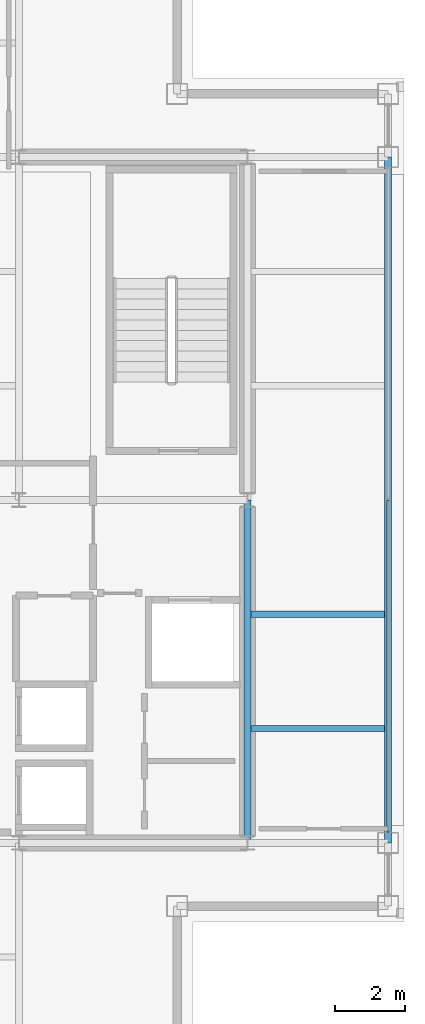
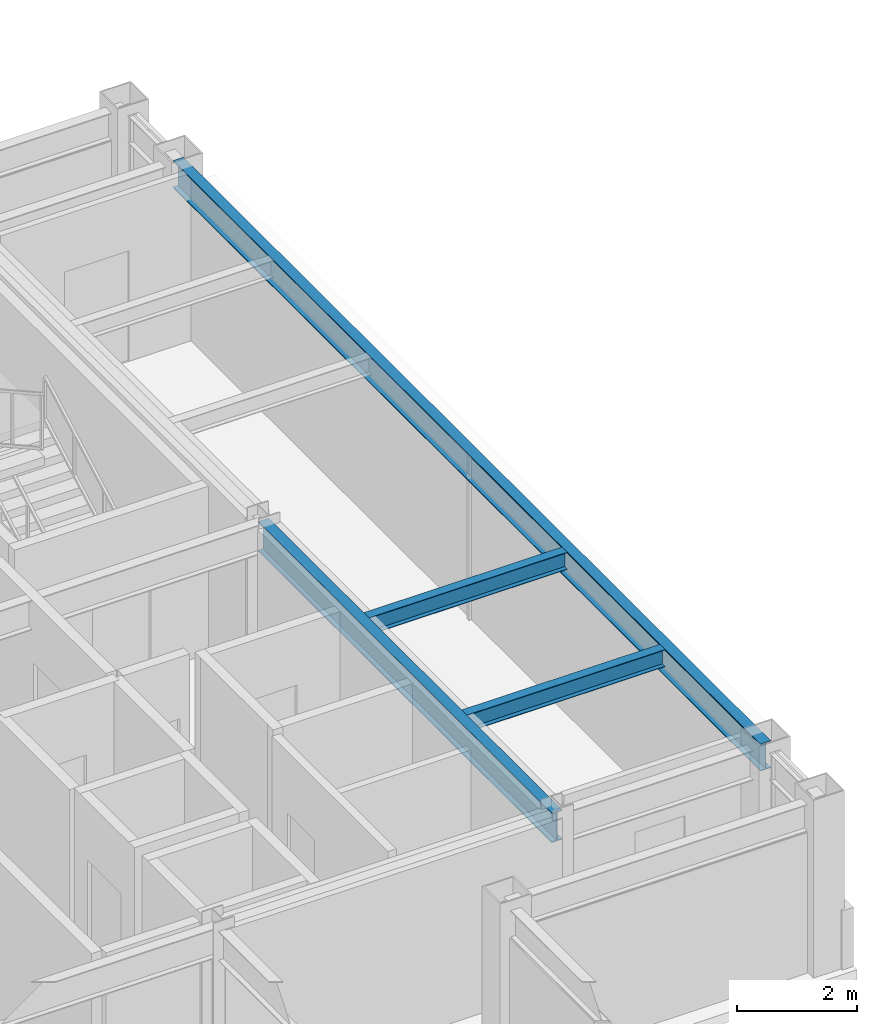
# One storey, part 14 of 24: 4 beams, 1 member, 1 element without a shape of its own.
"""IFC4 building model written with IfcOpenShell, lengths in metres."""

from ifc_helpers import new_model, si_unit, direction, frame, origin, origin_2d, place, context, subcontext, project, spatial, hollow_rectangle, i_section, extrude, material, layer, layer_set, material_profile, profile_set, type_object, element, aggregate, save


model = new_model("IFC4")

# Units and contexts
model_context = context("Model", 3, precision=1e-05, world=origin(), true_north=direction((0.0, 1.0)))
body_context = subcontext(model_context, "Body", "Model", "MODEL_VIEW")
ifc_project = project(units=[si_unit("LENGTHUNIT", "METRE"), si_unit("AREAUNIT", "SQUARE_METRE"), si_unit("VOLUMEUNIT", "CUBIC_METRE"), si_unit("PLANEANGLEUNIT", "RADIAN"), si_unit("MASSUNIT", "GRAM", prefix="KILO")], contexts=[model_context])

# Site, building, storey
site_placement = place(None, origin())
site = spatial("IfcSite", under=ifc_project, at=site_placement, CompositionType="ELEMENT")
building_placement = place(site_placement, origin())
building = spatial("IfcBuilding", under=site, at=building_placement, Name="Brelmoor Portico Tower", CompositionType="ELEMENT")
storey_placement = place(building_placement, frame((0.0, 0.0, 261.60009765625)))
storey = spatial("IfcBuildingStorey", under=building, at=storey_placement, Name="L69", CompositionType="ELEMENT", Elevation=261.60009765625)

# Beams
ifc_material_1 = material(Name="Steel Q355B", Category="steel")
ifc_material_profile_1 = material_profile(ifc_material_1, i_section(OverallWidth=0.175048828125, OverallDepth=0.35009765625, WebThickness=0.007080078125, FlangeThickness=0.010986328125, at=origin_2d()), Name="HN 350x175x7x11")
ifc_profile_set_1 = profile_set([ifc_material_profile_1], Name="Steel Q355B")
beam_type_1 = type_object("IfcBeamType", Name="BM-JS-350", PredefinedType="JOIST", material=ifc_profile_set_1)
for number, where, z_axis, x_axis, name in (
    (1, (14.64990234375, -6.5, 3.224853515625), (1.0, 0.0, 0.0), (0.0, 1.0, 0.0), "L69 Secondary Wing Joist JS-E11"),
    (2, (14.64990234375, -3.25, 3.224853515625), (1.0, 0.0, 0.0), (0.0, 1.0, 0.0), "L69 Secondary Wing Joist JS-E12"),
):
    element("IfcBeam", number, at=place(storey_placement, frame(where, z_axis=z_axis, x_axis=x_axis)), inside=storey, type_object=beam_type_1, Name=name, PredefinedType="JOIST", context=body_context, shape_type="SweptSolid", body=[
        extrude(i_section(OverallWidth=0.175048828125, OverallDepth=0.35009765625, WebThickness=0.007080078125, FlangeThickness=0.010986328125, at=origin_2d()), origin(), (0.0, 0.0, 1.0), 3.800048828125),
    ])
ifc_material_profile_2 = material_profile(ifc_material_1, i_section(OverallWidth=0.199951171875, OverallDepth=0.60009765625, WebThickness=0.010986328125, FlangeThickness=0.01708984375, at=origin_2d()), Name="HN 600x200x11x17")
ifc_profile_set_2 = profile_set([ifc_material_profile_2], Name="Steel Q355B")
beam_type_2 = type_object("IfcBeamType", Name="BM-PG-600", PredefinedType="BEAM", material=ifc_profile_set_2)
beam_1_placement = place(storey_placement, frame((14.550048828125, -9.75, 3.099853515625), z_axis=(0.0, 1.0, 0.0), x_axis=(-1.0, 0.0, 0.0)))
element("IfcBeam", 3, at=beam_1_placement, inside=storey, type_object=beam_type_2, Name="L69 Primary Floor Girder PG-09", PredefinedType="BEAM", context=body_context, shape_type="SweptSolid", body=[
    extrude(i_section(OverallWidth=0.199951171875, OverallDepth=0.60009765625, WebThickness=0.010986328125, FlangeThickness=0.01708984375, at=origin_2d()), origin(), (0.0, 0.0, 1.0), 9.75),
])
ifc_material_profile_3 = material_profile(ifc_material_1, i_section(OverallWidth=0.199951171875, OverallDepth=0.550048828125, WebThickness=0.010009765625, FlangeThickness=0.01611328125, at=origin_2d()), Name="HN 550x200x10x16")
ifc_profile_set_3 = profile_set([ifc_material_profile_3], Name="Steel Q355B")
beam_type_3 = type_object("IfcBeamType", Name="BM-SP-550", PredefinedType="SPANDREL", material=ifc_profile_set_3)
beam_2_placement = place(storey_placement, frame((18.550048828125, -9.75, 3.125), z_axis=(0.0, 1.0, 0.0), x_axis=(-1.0, 0.0, 0.0)))
element("IfcBeam", 4, at=beam_2_placement, inside=storey, type_object=beam_type_3, Name="L69 Perimeter Spandrel Beam SP-19", PredefinedType="SPANDREL", context=body_context, shape_type="SweptSolid", body=[
    extrude(i_section(OverallWidth=0.199951171875, OverallDepth=0.550048828125, WebThickness=0.010009765625, FlangeThickness=0.01611328125, at=origin_2d()), origin(), (0.0, 0.0, 1.0), 19.5),
])

# Curtain wall, member
ifc_material_2 = material(Name="Anodised Aluminium Alloy 6063-T6", Category="aluminium")
ifc_layer = layer(ifc_material_2, 0.179931640625)
ifc_layer_set = layer_set([ifc_layer], Name="Anodised Aluminium Alloy 6063-T6")
curtain_wall_type = type_object("IfcCurtainWallType", Name="CW-TOWER-Z4-XB", PredefinedType="NOTDEFINED", material=ifc_layer_set)
curtain_wall_placement = place(storey_placement, origin())
curtain_wall = element("IfcCurtainWall", 5, at=curtain_wall_placement, inside=storey, type_object=curtain_wall_type, Name="L69 Curtain Wall CW-L69-04-2", PredefinedType="NOTDEFINED")
ifc_material_profile_4 = material_profile(ifc_material_2, hollow_rectangle(XDim=0.06005859375, YDim=0.125, WallThickness=0.00341796875, at=origin_2d()), Name="ALU TRANSOM 60x125")
ifc_profile_set_4 = profile_set([ifc_material_profile_4], Name="Anodised Aluminium Alloy 6063-T6")
member_type = type_object("IfcMemberType", Name="MB-CW-TRAN-125", PredefinedType="USERDEFINED", material=ifc_profile_set_4)
member_placement = place(storey_placement, frame((18.550048828125, -9.43994140625, 3.33740234375), z_axis=(0.0, 1.0, 0.0), x_axis=(-1.0, 0.0, 0.0)))
member = element("IfcMember", 6, at=member_placement, type_object=member_type, Name="CW-L69-04-2 Transom 1-00", ObjectType="TRANSOM", PredefinedType="USERDEFINED", context=body_context, shape_type="SweptSolid", body=[
    extrude(hollow_rectangle(XDim=0.06005859375, YDim=0.125, WallThickness=0.00341796875, at=origin_2d()), origin(), (0.0, 0.0, 1.0), 9.43994140625),
])
aggregate(curtain_wall, [member])

save(model, "model.ifc")
